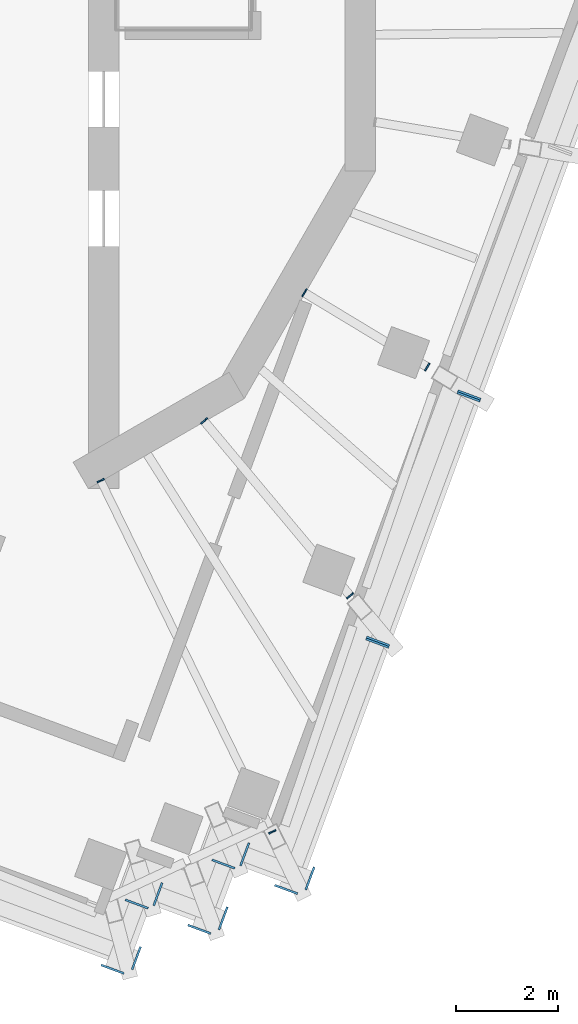
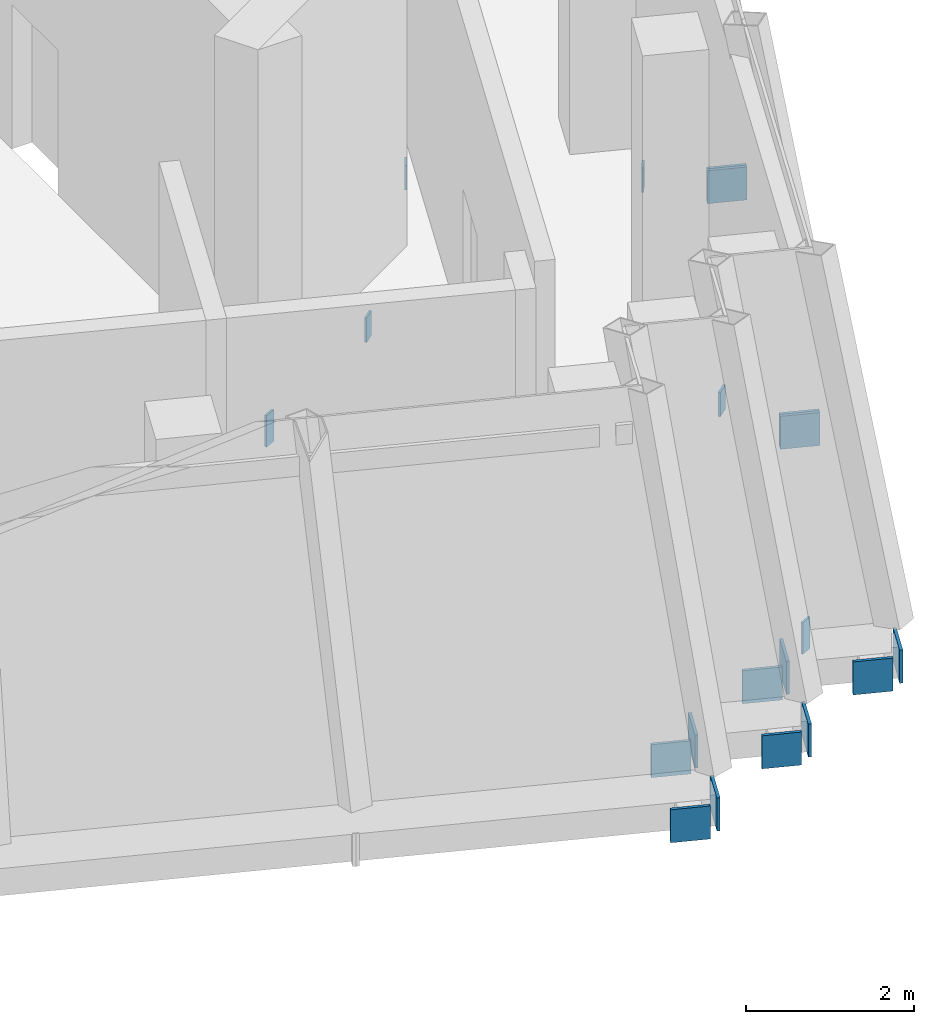
# One storey, part 8 of 13: 20 discrete accessories, 8 elements without a shape of their own.
"""IFC4 building model written with IfcOpenShell, lengths in metres."""

from ifc_helpers import new_model, si_unit, direction, frame, origin, place, context, subcontext, project, spatial, polyline, outline, extrude, material, layer, layer_set, type_object, element, aggregate, save


model = new_model("IFC4")

# Units and contexts
model_context = context("Model", 3, precision=1e-05, world=origin(), true_north=direction((0.0, 1.0)))
body_context = subcontext(model_context, "Body", "Model", "MODEL_VIEW")
ifc_project = project(units=[si_unit("LENGTHUNIT", "METRE"), si_unit("AREAUNIT", "SQUARE_METRE"), si_unit("VOLUMEUNIT", "CUBIC_METRE"), si_unit("PLANEANGLEUNIT", "RADIAN"), si_unit("MASSUNIT", "GRAM", prefix="KILO")], contexts=[model_context])

# Site, building, storey
site_placement = place(None, origin())
site = spatial("IfcSite", under=ifc_project, at=site_placement, CompositionType="ELEMENT")
building_placement = place(site_placement, origin())
building = spatial("IfcBuilding", under=site, at=building_placement, Name="Cantera Rosa Tower", CompositionType="ELEMENT")
storey_placement = place(building_placement, frame((0.0, 0.0, 355.699951171875)))
storey = spatial("IfcBuildingStorey", under=building, at=storey_placement, Name="L80", CompositionType="ELEMENT", Elevation=355.699951171875)

# Curtain wall, discrete accessory
ifc_material_1 = material(Name="Aluminium frame with clear glass", Category="aluminium")
curtain_wall_type = type_object("IfcCurtainWallType", Name="CW4 CROWN GLAZING", PredefinedType="NOTDEFINED", material=ifc_material_1)
curtain_wall_1_placement = place(storey_placement, origin())
curtain_wall_1 = element("IfcCurtainWall", 1, at=curtain_wall_1_placement, inside=storey, type_object=curtain_wall_type, Name="CW4 L80-23", PredefinedType="NOTDEFINED")
ifc_material_2 = material(Name="Steel S355J2 (EN 10025-2)", Category="steel")
ifc_layer = layer(ifc_material_2, 0.030029296875)
ifc_layer_set = layer_set([ifc_layer], Name="NODE PLATE 30")
discrete_accessory_type = type_object("IfcDiscreteAccessoryType", Name="NODE PLATE 30", PredefinedType="ANCHORPLATE", material=ifc_layer_set)
discrete_accessory_1_placement = place(storey_placement, frame((5.04736328125, -17.875244140625, -0.43505859375), z_axis=(0.937681233018, -0.347496626235, 0.0), x_axis=(-0.347496626235, -0.937681233018, 0.0)))
discrete_accessory_1 = element("IfcDiscreteAccessory", 2, at=discrete_accessory_1_placement, type_object=discrete_accessory_type, Name="END PLATE TE1", PredefinedType="ANCHORPLATE", context=body_context, shape_type="SweptSolid", body=[
    extrude(outline(polyline([(0.0, 0.0), (0.4798551533622547, 0.0), (0.4798551533622547, 0.47998046875), (0.0, 0.47998046875), (0.0, 0.0)])), origin(), (0.0, 0.0, -1.0), 0.0400390625),
])
aggregate(curtain_wall_1, [discrete_accessory_1])

# Curtain wall, discrete accessories
curtain_wall_2_placement = place(storey_placement, origin())
curtain_wall_2 = element("IfcCurtainWall", 3, at=curtain_wall_2_placement, inside=storey, type_object=curtain_wall_type, Name="CW4 L80-24", PredefinedType="NOTDEFINED")
discrete_accessory_2_placement = place(storey_placement, frame((4.693603515625, -18.41357421875, -0.43505859375), z_axis=(-0.347943850259, -0.93751537431, 0.0), x_axis=(-0.93751537431, 0.347943850259, 0.0)))
discrete_accessory_2 = element("IfcDiscreteAccessory", 4, at=discrete_accessory_2_placement, type_object=discrete_accessory_type, Name="END PLATE TE0", PredefinedType="ANCHORPLATE", context=body_context, shape_type="SweptSolid", body=[
    extrude(outline(polyline([(0.0, 0.0), (0.47994004600337425, 0.0), (0.47994004600337425, 0.47998046875), (0.0, 0.47998046875), (0.0, 0.0)])), origin(), (0.0, 0.0, -1.0), 0.0400390625),
])
discrete_accessory_3_placement = place(storey_placement, frame((4.733642578125, -16.924560546875, -0.43505859375), z_axis=(0.347496626235, 0.937681233018, 0.0), x_axis=(0.937681233018, -0.347496626235, 0.0)))
discrete_accessory_3 = element("IfcDiscreteAccessory", 5, at=discrete_accessory_3_placement, type_object=discrete_accessory_type, Name="END PLATE TE1", PredefinedType="ANCHORPLATE", context=body_context, shape_type="SweptSolid", body=[
    extrude(outline(polyline([(0.0, 0.0), (0.4798551533622547, 0.0), (0.4798551533622547, 0.47998046875), (0.0, 0.47998046875), (0.0, 0.0)])), origin(), (0.0, 0.0, -1.0), 0.0400390625),
])
aggregate(curtain_wall_2, [discrete_accessory_2, discrete_accessory_3])

curtain_wall_3_placement = place(storey_placement, origin())
curtain_wall_3 = element("IfcCurtainWall", 6, at=curtain_wall_3_placement, inside=storey, type_object=curtain_wall_type, Name="CW4 L80-25", PredefinedType="NOTDEFINED")
discrete_accessory_4_placement = place(storey_placement, frame((5.268310546875, -17.05078125, -0.43505859375), z_axis=(-0.937681233018, 0.347496626235, 0.0), x_axis=(0.347496626235, 0.937681233018, 0.0)))
discrete_accessory_4 = element("IfcDiscreteAccessory", 7, at=discrete_accessory_4_placement, type_object=discrete_accessory_type, Name="END PLATE TE0", PredefinedType="ANCHORPLATE", context=body_context, shape_type="SweptSolid", body=[
    extrude(outline(polyline([(0.0, 0.0), (0.4798551533622547, 0.0), (0.4798551533622547, 0.47998046875), (0.0, 0.47998046875), (0.0, 0.0)])), origin(), (0.0, 0.0, -1.0), 0.0400390625),
])
discrete_accessory_5_placement = place(storey_placement, frame((6.757080078125, -17.090576171875, -0.43505859375), z_axis=(0.937742626232, -0.347330918501, 0.0), x_axis=(-0.347330918501, -0.937742626232, 0.0)))
discrete_accessory_5 = element("IfcDiscreteAccessory", 8, at=discrete_accessory_5_placement, type_object=discrete_accessory_type, Name="END PLATE TE1", PredefinedType="ANCHORPLATE", context=body_context, shape_type="SweptSolid", body=[
    extrude(outline(polyline([(0.0, 0.0), (0.4800840869406107, 0.0), (0.4800840869406107, 0.47998046875), (0.0, 0.47998046875), (0.0, 0.0)])), origin(), (0.0, 0.0, -1.0), 0.0400390625),
])
aggregate(curtain_wall_3, [discrete_accessory_4, discrete_accessory_5])

curtain_wall_4_placement = place(storey_placement, origin())
curtain_wall_4 = element("IfcCurtainWall", 9, at=curtain_wall_4_placement, inside=storey, type_object=curtain_wall_type, Name="CW4 L80-26", PredefinedType="NOTDEFINED")
discrete_accessory_6_placement = place(storey_placement, frame((6.4033203125, -17.62744140625, -0.43505859375), z_axis=(-0.347496626235, -0.937681233018, 0.0), x_axis=(-0.937681233018, 0.347496626235, 0.0)))
discrete_accessory_6 = element("IfcDiscreteAccessory", 10, at=discrete_accessory_6_placement, type_object=discrete_accessory_type, Name="END PLATE TE0", PredefinedType="ANCHORPLATE", context=body_context, shape_type="SweptSolid", body=[
    extrude(outline(polyline([(0.0, 0.0), (0.4798551533622547, 0.0), (0.4798551533622547, 0.47998046875), (0.0, 0.47998046875), (0.0, 0.0)])), origin(), (0.0, 0.0, -1.0), 0.0400390625),
])
discrete_accessory_7_placement = place(storey_placement, frame((6.443115234375, -16.138671875, -0.43505859375), z_axis=(0.347330918501, 0.937742626232, 0.0), x_axis=(0.937742626232, -0.347330918501, 0.0)))
discrete_accessory_7 = element("IfcDiscreteAccessory", 11, at=discrete_accessory_7_placement, type_object=discrete_accessory_type, Name="END PLATE TE1", PredefinedType="ANCHORPLATE", context=body_context, shape_type="SweptSolid", body=[
    extrude(outline(polyline([(0.0, 0.0), (0.4800840869406107, 0.0), (0.4800840869406107, 0.47998046875), (0.0, 0.47998046875), (0.0, 0.0)])), origin(), (0.0, 0.0, -1.0), 0.0400390625),
])
aggregate(curtain_wall_4, [discrete_accessory_6, discrete_accessory_7])

curtain_wall_5_placement = place(storey_placement, origin())
curtain_wall_5 = element("IfcCurtainWall", 12, at=curtain_wall_5_placement, inside=storey, type_object=curtain_wall_type, Name="CW4 L80-27", PredefinedType="NOTDEFINED")
discrete_accessory_8_placement = place(storey_placement, frame((6.97802734375, -16.26611328125, -0.43505859375), z_axis=(-0.937681233018, 0.347496626235, 0.0), x_axis=(0.347496626235, 0.937681233018, 0.0)))
discrete_accessory_8 = element("IfcDiscreteAccessory", 13, at=discrete_accessory_8_placement, type_object=discrete_accessory_type, Name="END PLATE TE0", PredefinedType="ANCHORPLATE", context=body_context, shape_type="SweptSolid", body=[
    extrude(outline(polyline([(0.0, 0.0), (0.4798551533622547, 0.0), (0.4798551533622547, 0.47998046875), (0.0, 0.47998046875), (0.0, 0.0)])), origin(), (0.0, 0.0, -1.0), 0.0400390625),
])
discrete_accessory_9_placement = place(storey_placement, frame((8.467041015625, -16.305908203125, -0.43505859375), z_axis=(0.937576914778, -0.347777987911, 0.0), x_axis=(-0.347777987911, -0.937576914778, 0.0)))
discrete_accessory_9 = element("IfcDiscreteAccessory", 14, at=discrete_accessory_9_placement, type_object=discrete_accessory_type, Name="END PLATE TE1", PredefinedType="ANCHORPLATE", context=body_context, shape_type="SweptSolid", body=[
    extrude(outline(polyline([(0.0, 0.0), (0.4801689391068604, 0.0), (0.4801689391068604, 0.47998046875), (0.0, 0.47998046875), (0.0, 0.0)])), origin(), (0.0, 0.0, -1.0), 0.0400390625),
])
aggregate(curtain_wall_5, [discrete_accessory_8, discrete_accessory_9])

curtain_wall_6_placement = place(storey_placement, origin())
curtain_wall_6 = element("IfcCurtainWall", 15, at=curtain_wall_6_placement, inside=storey, type_object=curtain_wall_type, Name="CW4 L80-28", PredefinedType="NOTDEFINED")
discrete_accessory_10_placement = place(storey_placement, frame((8.11279296875, -16.841796875, -0.43505859375), z_axis=(-0.347496626235, -0.937681233018, 0.0), x_axis=(-0.937681233018, 0.347496626235, 0.0)))
discrete_accessory_10 = element("IfcDiscreteAccessory", 16, at=discrete_accessory_10_placement, type_object=discrete_accessory_type, Name="END PLATE TE0", PredefinedType="ANCHORPLATE", context=body_context, shape_type="SweptSolid", body=[
    extrude(outline(polyline([(0.0, 0.0), (0.4798551533622547, 0.0), (0.4798551533622547, 0.47998046875), (0.0, 0.47998046875), (0.0, 0.0)])), origin(), (0.0, 0.0, -1.0), 0.0400390625),
])
discrete_accessory_11_placement = place(storey_placement, frame((9.48828125, -11.7490234375, -0.43505859375), z_axis=(0.347496626235, 0.937681233018, 0.0), x_axis=(0.937681233018, -0.347496626235, 0.0)))
discrete_accessory_11 = element("IfcDiscreteAccessory", 17, at=discrete_accessory_11_placement, type_object=discrete_accessory_type, Name="END PLATE TE1", PredefinedType="ANCHORPLATE", context=body_context, shape_type="SweptSolid", body=[
    extrude(outline(polyline([(0.0, 0.0), (0.4798551533622547, 0.0), (0.4798551533622547, 0.47998046875), (0.0, 0.47998046875), (0.0, 0.0)])), origin(), (0.0, 0.0, -1.0), 0.0400390625),
])
aggregate(curtain_wall_6, [discrete_accessory_10, discrete_accessory_11])

curtain_wall_7_placement = place(storey_placement, origin())
curtain_wall_7 = element("IfcCurtainWall", 18, at=curtain_wall_7_placement, inside=storey, type_object=curtain_wall_type, Name="CW4 L80-29", PredefinedType="NOTDEFINED")
discrete_accessory_12_placement = place(storey_placement, frame((9.910400390625, -11.990966796875, -0.43505859375), z_axis=(-0.347943850259, -0.93751537431, 0.0), x_axis=(-0.93751537431, 0.347943850259, 0.0)))
discrete_accessory_12 = element("IfcDiscreteAccessory", 19, at=discrete_accessory_12_placement, type_object=discrete_accessory_type, Name="END PLATE TE0", PredefinedType="ANCHORPLATE", context=body_context, shape_type="SweptSolid", body=[
    extrude(outline(polyline([(0.0, 0.0), (0.47994004600337425, 0.0), (0.47994004600337425, 0.47998046875), (0.0, 0.47998046875), (0.0, 0.0)])), origin(), (0.0, 0.0, -1.0), 0.0400390625),
])
discrete_accessory_13_placement = place(storey_placement, frame((11.285888671875, -6.898193359375, -0.43505859375), z_axis=(0.347496626235, 0.937681233018, 0.0), x_axis=(0.937681233018, -0.347496626235, 0.0)))
discrete_accessory_13 = element("IfcDiscreteAccessory", 20, at=discrete_accessory_13_placement, type_object=discrete_accessory_type, Name="END PLATE TE1", PredefinedType="ANCHORPLATE", context=body_context, shape_type="SweptSolid", body=[
    extrude(outline(polyline([(0.0, 0.0), (0.4798551533622547, 0.0), (0.4798551533622547, 0.47998046875), (0.0, 0.47998046875), (0.0, 0.0)])), origin(), (0.0, 0.0, -1.0), 0.0400390625),
])
aggregate(curtain_wall_7, [discrete_accessory_12, discrete_accessory_13])

# Curtain wall, discrete accessory
curtain_wall_8_placement = place(storey_placement, origin())
curtain_wall_8 = element("IfcCurtainWall", 21, at=curtain_wall_8_placement, inside=storey, type_object=curtain_wall_type, Name="CW4 L80-30", PredefinedType="NOTDEFINED")
discrete_accessory_14_placement = place(storey_placement, frame((11.7080078125, -7.139892578125, -0.43505859375), z_axis=(-0.347496626235, -0.937681233018, 0.0), x_axis=(-0.937681233018, 0.347496626235, 0.0)))
discrete_accessory_14 = element("IfcDiscreteAccessory", 22, at=discrete_accessory_14_placement, type_object=discrete_accessory_type, Name="END PLATE TE0", PredefinedType="ANCHORPLATE", context=body_context, shape_type="SweptSolid", body=[
    extrude(outline(polyline([(0.0, 0.0), (0.4798551533622547, 0.0), (0.4798551533622547, 0.47998046875), (0.0, 0.47998046875), (0.0, 0.0)])), origin(), (0.0, 0.0, -1.0), 0.0400390625),
])
aggregate(curtain_wall_8, [discrete_accessory_14])

# Discrete accessories
discrete_accessory_15_placement = place(storey_placement, frame((0.0, 0.0, -0.909912109375)))
element("IfcDiscreteAccessory", 23, at=discrete_accessory_15_placement, inside=storey, type_object=discrete_accessory_type, Name="END PLATE CG-Z6-11 L80 A", PredefinedType="ANCHORPLATE", context=body_context, shape_type="SweptSolid", body=[
    extrude(outline(polyline([(7.68505859375, -15.55859375), (7.6982421875, -15.58544921875), (7.559814453125, -15.653076171875), (7.546630859375, -15.626220703125), (7.68505859375, -15.55859375)])), origin(), (0.0, 0.0, 1.0), 0.4599609375),
])
discrete_accessory_16_placement = place(storey_placement, frame((0.0, 0.0, -0.909912109375)))
element("IfcDiscreteAccessory", 24, at=discrete_accessory_16_placement, inside=storey, type_object=discrete_accessory_type, Name="END PLATE CG-Z6-11 L80 B", PredefinedType="ANCHORPLATE", context=body_context, shape_type="SweptSolid", body=[
    extrude(outline(polyline([(4.18017578125, -8.73388671875), (4.1669921875, -8.70703125), (4.305419921875, -8.639404296875), (4.318603515625, -8.666259765625), (4.18017578125, -8.73388671875)])), origin(), (0.0, 0.0, 1.0), 0.4599609375),
])
discrete_accessory_17_placement = place(storey_placement, frame((0.0, 0.0, -0.805908203125)))
element("IfcDiscreteAccessory", 25, at=discrete_accessory_17_placement, inside=storey, type_object=discrete_accessory_type, Name="END PLATE CG-Z6-12 L80 A", PredefinedType="ANCHORPLATE", context=body_context, shape_type="SweptSolid", body=[
    extrude(outline(polyline([(9.21240234375, -10.886962890625), (9.231689453125, -10.909912109375), (9.1005859375, -11.01953125), (9.081298828125, -10.99658203125), (9.21240234375, -10.886962890625)])), origin(), (0.0, 0.0, 1.0), 0.35595703125),
])
discrete_accessory_18_placement = place(storey_placement, frame((0.0, 0.0, -0.805908203125)))
element("IfcDiscreteAccessory", 26, at=discrete_accessory_18_placement, inside=storey, type_object=discrete_accessory_type, Name="END PLATE CG-Z6-12 L80 B", PredefinedType="ANCHORPLATE", context=body_context, shape_type="SweptSolid", body=[
    extrude(outline(polyline([(6.22314453125, -7.57763671875), (6.203857421875, -7.554443359375), (6.335205078125, -7.44482421875), (6.354248046875, -7.4677734375), (6.22314453125, -7.57763671875)])), origin(), (0.0, 0.0, 1.0), 0.35595703125),
])
discrete_accessory_19_placement = place(storey_placement, frame((0.0, 0.0, -0.805908203125)))
element("IfcDiscreteAccessory", 27, at=discrete_accessory_19_placement, inside=storey, type_object=discrete_accessory_type, Name="END PLATE CG-Z6-13 L80 A", PredefinedType="ANCHORPLATE", context=body_context, shape_type="SweptSolid", body=[
    extrude(outline(polyline([(10.70703125, -6.366455078125), (10.732666015625, -6.382080078125), (10.644287109375, -6.5283203125), (10.61865234375, -6.512939453125), (10.70703125, -6.366455078125)])), origin(), (0.0, 0.0, 1.0), 0.35595703125),
])
discrete_accessory_20_placement = place(storey_placement, frame((0.0, 0.0, -0.805908203125)))
element("IfcDiscreteAccessory", 28, at=discrete_accessory_20_placement, inside=storey, type_object=discrete_accessory_type, Name="END PLATE CG-Z6-13 L80 B", PredefinedType="ANCHORPLATE", context=body_context, shape_type="SweptSolid", body=[
    extrude(outline(polyline([(8.225830078125, -5.067626953125), (8.2001953125, -5.05224609375), (8.28857421875, -4.90576171875), (8.314208984375, -4.92138671875), (8.225830078125, -5.067626953125)])), origin(), (0.0, 0.0, 1.0), 0.35595703125),
])

save(model, "model.ifc")
